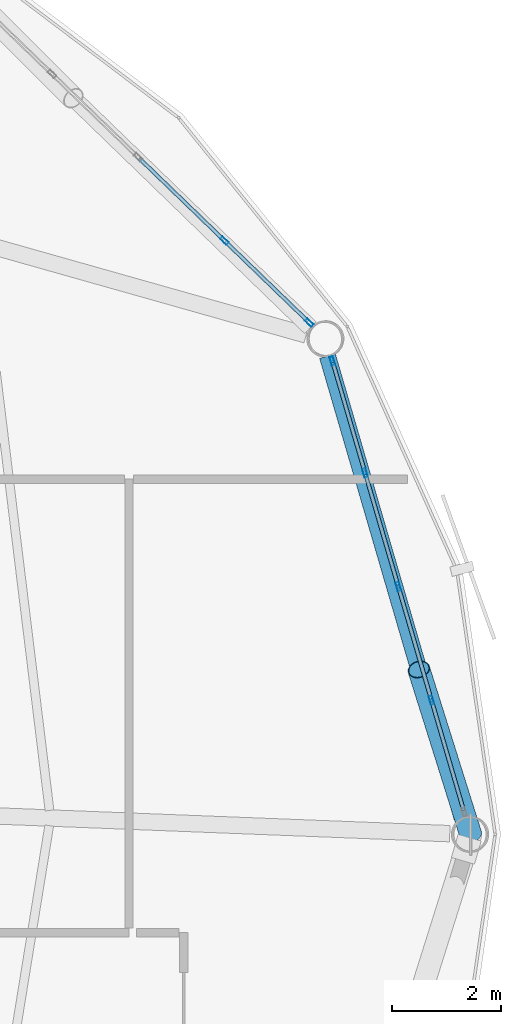
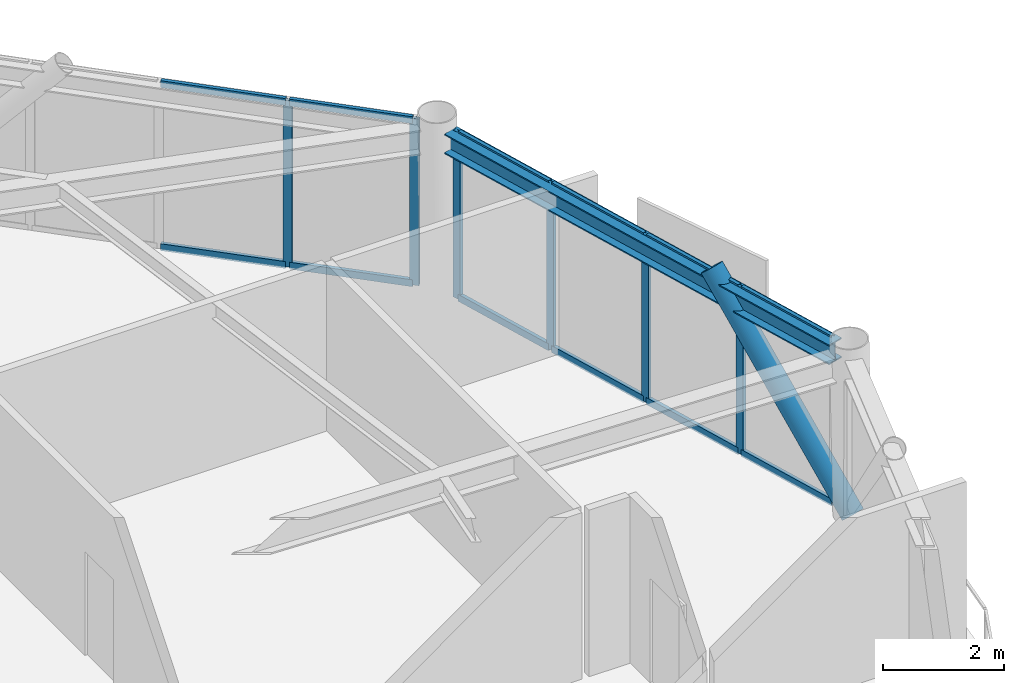
# One storey, part 17 of 28: 19 members, 1 beam, 2 elements without a shape of their own.
"""IFC4 building model written with IfcOpenShell, lengths in metres."""

from ifc_helpers import new_model, si_unit, direction, frame, origin, origin_2d, place, context, subcontext, project, spatial, hollow_rectangle, hollow_circle, i_section, extrude, material, layer, layer_set, material_profile, profile_set, type_object, element, aggregate, save


model = new_model("IFC4")

# Units and contexts
model_context = context("Model", 3, precision=1e-05, world=origin(), true_north=direction((0.0, 1.0)))
body_context = subcontext(model_context, "Body", "Model", "MODEL_VIEW")
ifc_project = project(units=[si_unit("LENGTHUNIT", "METRE"), si_unit("AREAUNIT", "SQUARE_METRE"), si_unit("VOLUMEUNIT", "CUBIC_METRE"), si_unit("PLANEANGLEUNIT", "RADIAN"), si_unit("MASSUNIT", "GRAM", prefix="KILO")], contexts=[model_context])

# Site, building, storey
site_placement = place(None, origin())
site = spatial("IfcSite", under=ifc_project, at=site_placement, CompositionType="ELEMENT")
building_placement = place(site_placement, origin())
building = spatial("IfcBuilding", under=site, at=building_placement, Name="Varnakorn Sky Granary", CompositionType="ELEMENT")
storey_placement = place(building_placement, frame((0.0, 0.0, 225.60009765625)))
storey = spatial("IfcBuildingStorey", under=building, at=storey_placement, Name="L57", CompositionType="ELEMENT", Elevation=225.60009765625)

# Beam
ifc_material_1 = material(Name="Steel S355JR", Category="steel")
ifc_material_profile_1 = material_profile(ifc_material_1, i_section(OverallWidth=0.300048828125, OverallDepth=0.39990234375, WebThickness=0.013427734375, FlangeThickness=0.02392578125, at=origin_2d()), Name="HE 400 B")
ifc_profile_set_1 = profile_set([ifc_material_profile_1], Name="Steel S355JR")
beam_type = type_object("IfcBeamType", Name="BM-SPD-Z4", PredefinedType="SPANDREL", material=ifc_profile_set_1)
beam_placement = place(storey_placement, frame((23.595703125, 0.302490234375, 3.159912109375), z_axis=(-0.27993821383, 0.960018018809, 0.0), x_axis=(-0.960018018809, -0.27993821383, 0.0)))
element("IfcBeam", 1, at=beam_placement, inside=storey, type_object=beam_type, Name="Perimeter Spandrel Ring Beam RB01 L57", PredefinedType="SPANDREL", context=body_context, shape_type="SweptSolid", body=[
    extrude(i_section(OverallWidth=0.300048828125, OverallDepth=0.39990234375, WebThickness=0.013427734375, FlangeThickness=0.02392578125, at=origin_2d()), origin(), (0.0, 0.0, 1.0), 8.800537109375),
])

# Curtain wall, members
ifc_material_2 = material(Name="Anodised Bronze Aluminium Alloy 6063-T6", Category="aluminium")
ifc_layer = layer(ifc_material_2, 0.169921875, Name="Anodised Bronze Aluminium Alloy 6063-T6")
ifc_layer_set = layer_set([ifc_layer], Name="Anodised Bronze Aluminium Alloy 6063-T6")
curtain_wall_type = type_object("IfcCurtainWallType", Name="CW-LAB-1", PredefinedType="USERDEFINED", material=ifc_layer_set)
curtain_wall_1_placement = place(storey_placement, origin())
curtain_wall_1 = element("IfcCurtainWall", 2, at=curtain_wall_1_placement, inside=storey, type_object=curtain_wall_type, Name="Unitised Curtain Wall CW5 CW-L57-B01", ObjectType="CURTAIN WALL", PredefinedType="USERDEFINED")
ifc_material_profile_2 = material_profile(ifc_material_2, hollow_rectangle(XDim=0.06494140625, YDim=0.159912109375, WallThickness=0.00341796875, at=origin_2d()), Name="ALU MULL 65x160")
ifc_profile_set_2 = profile_set([ifc_material_profile_2], Name="Anodised Bronze Aluminium Alloy 6063-T6")
member_type_1 = type_object("IfcMemberType", Name="CW-LAB-1-MULL", PredefinedType="MULLION", material=ifc_profile_set_2)
member_1_placement = place(storey_placement, frame((21.22119140625, 8.664794921875, 0.0), z_axis=(0.0, 0.0, 1.0), x_axis=(0.959890244378, 0.28037603098, 0.0)))
member_1 = element("IfcMember", 3, at=member_1_placement, type_object=member_type_1, Name="CW5 mullion 1", PredefinedType="MULLION", context=body_context, shape_type="SweptSolid", body=[
    extrude(hollow_rectangle(XDim=0.06494140625, YDim=0.159912109375, WallThickness=0.00341796875, at=origin_2d()), origin(), (0.0, 0.0, 1.0), 3.35986328125),
])
member_2_placement = place(storey_placement, frame((21.819580078125, 6.61572265625, 0.0), z_axis=(0.0, 0.0, 1.0), x_axis=(0.959890244378, 0.28037603098, 0.0)))
member_2 = element("IfcMember", 4, at=member_2_placement, type_object=member_type_1, Name="CW5 mullion 2", PredefinedType="MULLION", context=body_context, shape_type="SweptSolid", body=[
    extrude(hollow_rectangle(XDim=0.06494140625, YDim=0.159912109375, WallThickness=0.00341796875, at=origin_2d()), origin(), (0.0, 0.0, 1.0), 3.35986328125),
])
member_3_placement = place(storey_placement, frame((22.42724609375, 4.53515625, 0.0), z_axis=(0.0, 0.0, 1.0), x_axis=(0.959890244378, 0.28037603098, 0.0)))
member_3 = element("IfcMember", 5, at=member_3_placement, type_object=member_type_1, Name="CW5 mullion 3", PredefinedType="MULLION", context=body_context, shape_type="SweptSolid", body=[
    extrude(hollow_rectangle(XDim=0.06494140625, YDim=0.159912109375, WallThickness=0.00341796875, at=origin_2d()), origin(), (0.0, 0.0, 1.0), 3.35986328125),
])
member_4_placement = place(storey_placement, frame((23.034912109375, 2.454833984375, 0.0), z_axis=(0.0, 0.0, 1.0), x_axis=(0.959890244378, 0.28037603098, 0.0)))
member_4 = element("IfcMember", 6, at=member_4_placement, type_object=member_type_1, Name="CW5 mullion 4", PredefinedType="MULLION", context=body_context, shape_type="SweptSolid", body=[
    extrude(hollow_rectangle(XDim=0.06494140625, YDim=0.159912109375, WallThickness=0.00341796875, at=origin_2d()), origin(), (0.0, 0.0, 1.0), 3.35986328125),
])

curtain_wall_2_placement = place(storey_placement, origin())
curtain_wall_2 = element("IfcCurtainWall", 7, at=curtain_wall_2_placement, inside=storey, type_object=curtain_wall_type, Name="Unitised Curtain Wall CW5 CW-L57-B02", ObjectType="CURTAIN WALL", PredefinedType="USERDEFINED")
member_5_placement = place(storey_placement, frame((19.2451171875, 10.865966796875, 0.0), z_axis=(0.0, 0.0, 1.0), x_axis=(0.695009134591, 0.719000906004, 0.0)))
member_5 = element("IfcMember", 8, at=member_5_placement, type_object=member_type_1, Name="CW5 mullion 4", PredefinedType="MULLION", context=body_context, shape_type="SweptSolid", body=[
    extrude(hollow_rectangle(XDim=0.06494140625, YDim=0.159912109375, WallThickness=0.00341796875, at=origin_2d()), origin(), (0.0, 0.0, 1.0), 3.35986328125),
])
member_6_placement = place(storey_placement, frame((20.798828125, 9.3642578125, 0.0), z_axis=(0.0, 0.0, 1.0), x_axis=(0.695009134591, 0.719000906004, 0.0)))
member_6 = element("IfcMember", 9, at=member_6_placement, type_object=member_type_1, Name="CW5 mullion 5", PredefinedType="MULLION", context=body_context, shape_type="SweptSolid", body=[
    extrude(hollow_rectangle(XDim=0.06494140625, YDim=0.159912109375, WallThickness=0.00341796875, at=origin_2d()), origin(), (0.0, 0.0, 1.0), 3.35986328125),
])

# Member
ifc_material_profile_3 = material_profile(ifc_material_2, hollow_rectangle(XDim=0.070068359375, YDim=0.139892578125, WallThickness=0.00341796875, at=origin_2d()), Name="ALU TRAN 70x140")
ifc_profile_set_3 = profile_set([ifc_material_profile_3], Name="Anodised Bronze Aluminium Alloy 6063-T6")
member_type_2 = type_object("IfcMemberType", Name="CW-LAB-1-TRAN", PredefinedType="USERDEFINED", material=ifc_profile_set_3)
member_7_placement = place(storey_placement, frame((21.230224609375, 8.6337890625, 0.034912109375), z_axis=(0.280371385616, -0.959891601238, 0.0), x_axis=(0.959891601238, 0.280371385616, 0.0)))
member_7 = element("IfcMember", 10, at=member_7_placement, type_object=member_type_2, Name="CW5 transom 1.1", ObjectType="TRANSOM", PredefinedType="USERDEFINED", context=body_context, shape_type="SweptSolid", body=[
    extrude(hollow_rectangle(XDim=0.070068359375, YDim=0.139892578125, WallThickness=0.00341796875, at=origin_2d()), origin(), (0.0, 0.0, 1.0), 2.06982421875),
])

member_8_placement = place(storey_placement, frame((21.230224609375, 8.6337890625, 3.324951171875), z_axis=(0.280371385616, -0.959891601238, 0.0), x_axis=(0.959891601238, 0.280371385616, 0.0)))
member_8 = element("IfcMember", 11, at=member_8_placement, type_object=member_type_2, Name="CW5 transom 1.2", ObjectType="TRANSOM", PredefinedType="USERDEFINED", context=body_context, shape_type="SweptSolid", body=[
    extrude(hollow_rectangle(XDim=0.070068359375, YDim=0.139892578125, WallThickness=0.00341796875, at=origin_2d()), origin(), (0.0, 0.0, 1.0), 2.06982421875),
])

member_9_placement = place(storey_placement, frame((21.828857421875, 6.58447265625, 0.034912109375), z_axis=(0.280329969225, -0.959903697438, 0.0), x_axis=(0.959903697438, 0.280329969225, 0.0)))
member_9 = element("IfcMember", 12, at=member_9_placement, type_object=member_type_2, Name="CW5 transom 2.1", ObjectType="TRANSOM", PredefinedType="USERDEFINED", context=body_context, shape_type="SweptSolid", body=[
    extrude(hollow_rectangle(XDim=0.070068359375, YDim=0.139892578125, WallThickness=0.00341796875, at=origin_2d()), origin(), (0.0, 0.0, 1.0), 2.102294921875),
])

member_10_placement = place(storey_placement, frame((21.828857421875, 6.58447265625, 3.324951171875), z_axis=(0.280329969225, -0.959903697438, 0.0), x_axis=(0.959903697438, 0.280329969225, 0.0)))
member_10 = element("IfcMember", 13, at=member_10_placement, type_object=member_type_2, Name="CW5 transom 2.2", ObjectType="TRANSOM", PredefinedType="USERDEFINED", context=body_context, shape_type="SweptSolid", body=[
    extrude(hollow_rectangle(XDim=0.070068359375, YDim=0.139892578125, WallThickness=0.00341796875, at=origin_2d()), origin(), (0.0, 0.0, 1.0), 2.102294921875),
])

member_11_placement = place(storey_placement, frame((22.4365234375, 4.504150390625, 0.034912109375), z_axis=(0.280329969225, -0.959903697438, 0.0), x_axis=(0.959903697438, 0.280329969225, 0.0)))
member_11 = element("IfcMember", 14, at=member_11_placement, type_object=member_type_2, Name="CW5 transom 3.1", ObjectType="TRANSOM", PredefinedType="USERDEFINED", context=body_context, shape_type="SweptSolid", body=[
    extrude(hollow_rectangle(XDim=0.070068359375, YDim=0.139892578125, WallThickness=0.00341796875, at=origin_2d()), origin(), (0.0, 0.0, 1.0), 2.102294921875),
])

member_12_placement = place(storey_placement, frame((22.4365234375, 4.504150390625, 3.324951171875), z_axis=(0.280329969225, -0.959903697438, 0.0), x_axis=(0.959903697438, 0.280329969225, 0.0)))
member_12 = element("IfcMember", 15, at=member_12_placement, type_object=member_type_2, Name="CW5 transom 3.2", ObjectType="TRANSOM", PredefinedType="USERDEFINED", context=body_context, shape_type="SweptSolid", body=[
    extrude(hollow_rectangle(XDim=0.070068359375, YDim=0.139892578125, WallThickness=0.00341796875, at=origin_2d()), origin(), (0.0, 0.0, 1.0), 2.102294921875),
])

member_13_placement = place(storey_placement, frame((23.044189453125, 2.423583984375, 0.034912109375), z_axis=(0.280371385616, -0.959891601238, 0.0), x_axis=(0.959891601238, 0.280371385616, 0.0)))
member_13 = element("IfcMember", 16, at=member_13_placement, type_object=member_type_2, Name="CW5 transom 4.1", ObjectType="TRANSOM", PredefinedType="USERDEFINED", context=body_context, shape_type="SweptSolid", body=[
    extrude(hollow_rectangle(XDim=0.070068359375, YDim=0.139892578125, WallThickness=0.00341796875, at=origin_2d()), origin(), (0.0, 0.0, 1.0), 2.06982421875),
])

member_14_placement = place(storey_placement, frame((23.044189453125, 2.423583984375, 3.324951171875), z_axis=(0.280371385616, -0.959891601238, 0.0), x_axis=(0.959891601238, 0.280371385616, 0.0)))
member_14 = element("IfcMember", 17, at=member_14_placement, type_object=member_type_2, Name="CW5 transom 4.2", ObjectType="TRANSOM", PredefinedType="USERDEFINED", context=body_context, shape_type="SweptSolid", body=[
    extrude(hollow_rectangle(XDim=0.070068359375, YDim=0.139892578125, WallThickness=0.00341796875, at=origin_2d()), origin(), (0.0, 0.0, 1.0), 2.06982421875),
])

aggregate(curtain_wall_1, [member_1, member_2, member_3, member_4, member_7, member_8, member_9, member_10, member_11, member_12, member_13, member_14])

member_15_placement = place(storey_placement, frame((17.69140625, 12.367919921875, 0.034912109375), z_axis=(0.719047600515, -0.694960824935, 0.0), x_axis=(0.694960824935, 0.719047600515, 0.0)))
member_15 = element("IfcMember", 18, at=member_15_placement, type_object=member_type_2, Name="CW5 transom 3.1", ObjectType="TRANSOM", PredefinedType="USERDEFINED", context=body_context, shape_type="SweptSolid", body=[
    extrude(hollow_rectangle(XDim=0.070068359375, YDim=0.139892578125, WallThickness=0.00341796875, at=origin_2d()), origin(), (0.0, 0.0, 1.0), 2.12841796875),
])

member_16_placement = place(storey_placement, frame((17.69140625, 12.367919921875, 3.324951171875), z_axis=(0.719047600515, -0.694960824935, 0.0), x_axis=(0.694960824935, 0.719047600515, 0.0)))
member_16 = element("IfcMember", 19, at=member_16_placement, type_object=member_type_2, Name="CW5 transom 3.2", ObjectType="TRANSOM", PredefinedType="USERDEFINED", context=body_context, shape_type="SweptSolid", body=[
    extrude(hollow_rectangle(XDim=0.070068359375, YDim=0.139892578125, WallThickness=0.00341796875, at=origin_2d()), origin(), (0.0, 0.0, 1.0), 2.12841796875),
])

member_17_placement = place(storey_placement, frame((19.2685546875, 10.843505859375, 0.034912109375), z_axis=(0.71900195689, -0.695008047427, 0.0), x_axis=(0.695008047427, 0.71900195689, 0.0)))
member_17 = element("IfcMember", 20, at=member_17_placement, type_object=member_type_2, Name="CW5 transom 4.1", ObjectType="TRANSOM", PredefinedType="USERDEFINED", context=body_context, shape_type="SweptSolid", body=[
    extrude(hollow_rectangle(XDim=0.070068359375, YDim=0.139892578125, WallThickness=0.00341796875, at=origin_2d()), origin(), (0.0, 0.0, 1.0), 2.09619140625),
])

member_18_placement = place(storey_placement, frame((19.2685546875, 10.843505859375, 3.324951171875), z_axis=(0.71900195689, -0.695008047427, 0.0), x_axis=(0.695008047427, 0.71900195689, 0.0)))
member_18 = element("IfcMember", 21, at=member_18_placement, type_object=member_type_2, Name="CW5 transom 4.2", ObjectType="TRANSOM", PredefinedType="USERDEFINED", context=body_context, shape_type="SweptSolid", body=[
    extrude(hollow_rectangle(XDim=0.070068359375, YDim=0.139892578125, WallThickness=0.00341796875, at=origin_2d()), origin(), (0.0, 0.0, 1.0), 2.09619140625),
])

aggregate(curtain_wall_2, [member_5, member_6, member_15, member_16, member_17, member_18])

ifc_material_3 = material(Name="Steel S460M", Category="steel")
ifc_material_profile_4 = material_profile(ifc_material_3, hollow_circle(Radius=0.203125, WallThickness=0.01611328125, at=origin_2d()), Name="CHS 406.4x16")
ifc_profile_set_4 = profile_set([ifc_material_profile_4], Name="Steel S460M")
member_type_3 = type_object("IfcMemberType", Name="MB-DIAG-T4", PredefinedType="BRACE", material=ifc_profile_set_4)
member_19_placement = place(storey_placement, frame((23.751953125, 0.0, 0.0), z_axis=(-0.201264927478, 0.640699399577, 0.74094312086), x_axis=(-0.954035337323, -0.299694135978, 0.0)))
element("IfcMember", 22, at=member_19_placement, inside=storey, type_object=member_type_3, Name="Perimeter CHS Diagrid Brace DG01 L57", PredefinedType="BRACE", context=body_context, shape_type="SweptSolid", body=[
    extrude(hollow_circle(Radius=0.203125, WallThickness=0.01611328125, at=origin_2d()), origin(), (0.0, 0.0, 1.0), 4.710205078125),
])

save(model, "model.ifc")
